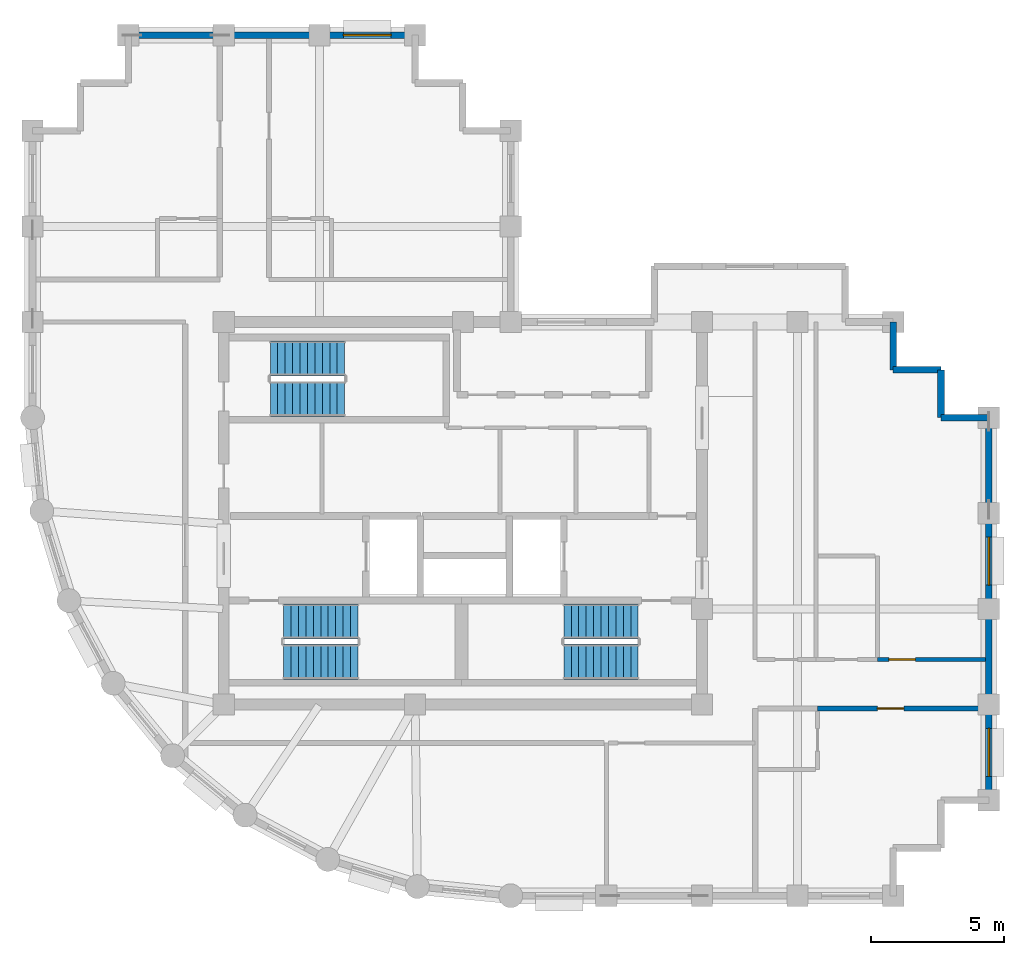
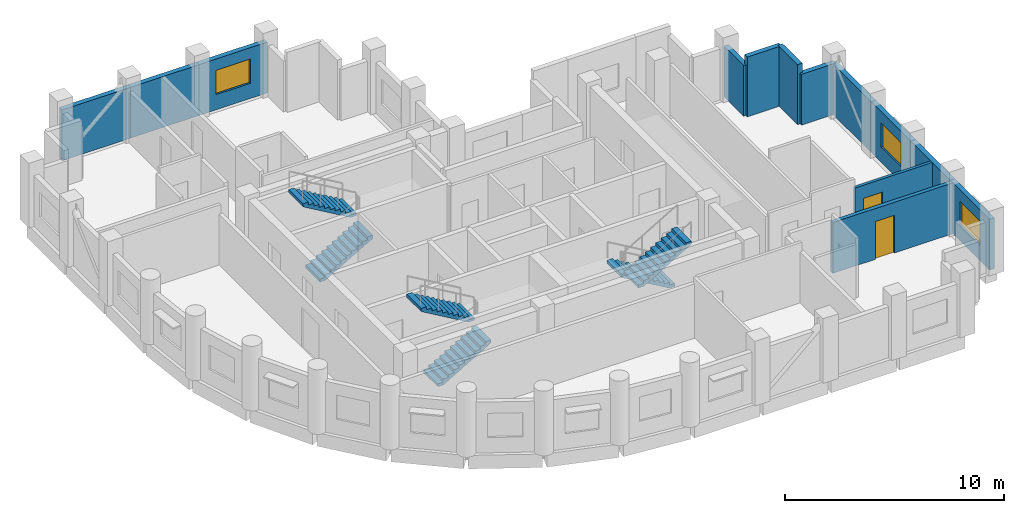
# One storey, part 5 of 7: 13 walls, 6 stair flights, 3 windows, 2 doors, 5 openings, 3 elements without a shape of their own.
"""IFC4 building model written with IfcOpenShell, lengths in metres."""

from ifc_helpers import new_model, si_unit, direction, frame, frame_2d, origin, place, context, subcontext, project, spatial, polyline, rectangle, outline, extrude, material, layer, layer_set, type_object, element, fill, aggregate, save


model = new_model("IFC4")

# Units and contexts
model_context = context("Model", 3, precision=1e-05, world=origin(), true_north=direction((0.0, 1.0)))
body_context = subcontext(model_context, "Body", "Model", "MODEL_VIEW")
ifc_project = project(units=[si_unit("LENGTHUNIT", "METRE"), si_unit("AREAUNIT", "SQUARE_METRE"), si_unit("VOLUMEUNIT", "CUBIC_METRE"), si_unit("PLANEANGLEUNIT", "RADIAN"), si_unit("MASSUNIT", "GRAM", prefix="KILO")], contexts=[model_context])

# Site, building, storey
site_placement = place(None, origin())
site = spatial("IfcSite", under=ifc_project, at=site_placement, CompositionType="ELEMENT")
building_placement = place(site_placement, origin())
building = spatial("IfcBuilding", under=site, at=building_placement, Name="Solnavia Interchange Tower", CompositionType="ELEMENT")
storey_placement = place(building_placement, frame((0.0, 0.0, 288.199951171875)))
storey = spatial("IfcBuildingStorey", under=building, at=storey_placement, Name="L73", CompositionType="ELEMENT", Elevation=288.199951171875)

# Wall, opening, door
ifc_material_1 = material(Name="Gypsum Acoustic Twin-Stud & Mineral Wool", Category="gypsum")
ifc_layer_1 = layer(ifc_material_1, 0.199951171875)
ifc_layer_set_1 = layer_set([ifc_layer_1], Name="Gypsum Acoustic Twin-Stud & Mineral Wool")
wall_type_1 = type_object("IfcWallType", Name="Wall-ApartmentParty-200", PredefinedType="PARTITIONING", material=ifc_layer_set_1)
wall_1_placement = place(storey_placement, frame((36.75, 10.64990234375, 0.0), z_axis=(0.0, 0.0, 1.0), x_axis=(1.0, 0.0, 0.0)))
wall_1 = element("IfcWall", 1, at=wall_1_placement, inside=storey, type_object=wall_type_1, Name="PTW-L73-14 Interior partition wall", PredefinedType="PARTITIONING", context=body_context, shape_type="SweptSolid", body=[
    extrude(rectangle(XDim=6.321044921875, YDim=0.199951171875, at=frame_2d((3.16064453125, 0.0))), origin(), (0.0, 0.0, 1.0), 2.830078125),
])
opening_1_placement = place(wall_1_placement, frame((2.251953125, 0.0, 0.0)))
opening_1 = element("IfcOpeningElement", 2, at=opening_1_placement, cuts=wall_1, Name="Opening DR-06", PredefinedType="OPENING", context=body_context, shape_type="SweptSolid", body=[
    extrude(rectangle(XDim=1.0, YDim=2.10009765625, at=frame_2d((0.5, 1.050048828125))), frame((0.0, 0.10986328125, 0.0), z_axis=(0.0, -1.0, 0.0), x_axis=(1.0, 0.0, 0.0)), (0.0, 0.0, 1.0), 0.219970703125),
])
ifc_material_2 = material(Name="Engineered Timber Acoustic Fire Door", Category="wood")
door_type_1 = type_object("IfcDoorType", Name="Door-FlatEntry-1000x2100", OperationType="SINGLE_SWING_LEFT", PredefinedType="DOOR", material=ifc_material_2)
door_1_placement = place(opening_1_placement, origin())
door_1 = element("IfcDoor", 3, at=door_1_placement, inside=storey, type_object=door_type_1, Name="DR-L73-05 Interior room door", OperationType="SINGLE_SWING_LEFT", OverallHeight=2.10009765625, OverallWidth=1.0, PredefinedType="DOOR", context=body_context, shape_type="SweptSolid", body=[
    extrude(rectangle(XDim=1.0, YDim=2.10009765625, at=frame_2d((0.5, 1.050048828125))), frame((0.0, 0.02490234375, 0.0), z_axis=(0.0, -1.0, 0.0), x_axis=(1.0, 0.0, 0.0)), (0.0, 0.0, 1.0), 0.050048828125),
])
fill(opening_1, door_1)

# Wall, opening, window
ifc_material_3 = material(Name="Concrete C40/50", Category="concrete")
ifc_layer_2 = layer(ifc_material_3, 0.25)
ifc_layer_set_2 = layer_set([ifc_layer_2], Name="Concrete C40/50")
wall_type_2 = type_object("IfcWallType", Name="Wall-ExtSpandrel-250", PredefinedType="STANDARD", material=ifc_layer_set_2)
wall_2_placement = place(storey_placement, frame((43.199951171875, 10.800048828125, 0.0), z_axis=(0.0, 0.0, 1.0), x_axis=(0.0, -1.0, 0.0)))
wall_2 = element("IfcWall", 4, at=wall_2_placement, inside=storey, type_object=wall_type_2, Name="EXW-L73-09 Exterior precast spandrel wall", PredefinedType="STANDARD", context=body_context, shape_type="SweptSolid", body=[
    extrude(rectangle(XDim=3.60009765625, YDim=0.25, at=frame_2d((1.800048828125, 0.0))), origin(), (0.0, 0.0, 1.0), 2.830078125),
])
opening_2_placement = place(wall_2_placement, frame((0.89990234375, 0.0, 0.85009765625)))
opening_2 = element("IfcOpeningElement", 5, at=opening_2_placement, cuts=wall_2, Name="Opening WIN-02", PredefinedType="OPENING", context=body_context, shape_type="SweptSolid", body=[
    extrude(rectangle(XDim=1.800048828125, YDim=1.35009765625, at=frame_2d((0.89990234375, 0.675048828125))), frame((0.0, 0.135009765625, 0.0), z_axis=(0.0, -1.0, 0.0), x_axis=(1.0, 0.0, 0.0)), (0.0, 0.0, 1.0), 0.27001953125),
])
ifc_material_4 = material(Name="Thermal-Break Aluminium & Low-E Glass", Category="aluminium")
window_type = type_object("IfcWindowType", Name="Window-Ribbon-1800x1350", PartitioningType="SINGLE_PANEL", PredefinedType="WINDOW", material=ifc_material_4)
window_1_placement = place(opening_2_placement, origin())
window_1 = element("IfcWindow", 6, at=window_1_placement, inside=storey, type_object=window_type, Name="WIN-L73-09 Facade ribbon window", OverallHeight=1.35009765625, OverallWidth=1.800048828125, PartitioningType="SINGLE_PANEL", PredefinedType="WINDOW", context=body_context, shape_type="SweptSolid", body=[
    extrude(rectangle(XDim=1.800048828125, YDim=1.35009765625, at=frame_2d((0.89990234375, 0.675048828125))), frame((0.0, 0.030029296875, 0.0), z_axis=(0.0, -1.0, 0.0), x_axis=(1.0, 0.0, 0.0)), (0.0, 0.0, 1.0), 0.06005859375),
])
fill(opening_2, window_1)

# Wall
wall_3_placement = place(storey_placement, frame((43.199951171875, 14.39990234375, 0.0), z_axis=(0.0, 0.0, 1.0), x_axis=(0.0, -1.0, 0.0)))
element("IfcWall", 7, at=wall_3_placement, inside=storey, type_object=wall_type_2, Name="EXW-L73-10 Exterior precast spandrel wall", PredefinedType="STANDARD", context=body_context, shape_type="SweptSolid", body=[
    extrude(rectangle(XDim=3.599853515625, YDim=0.25, at=frame_2d((1.7998046875, 0.0))), origin(), (0.0, 0.0, 1.0), 2.830078125),
])

# Wall, opening, window
wall_4_placement = place(storey_placement, frame((43.199951171875, 18.0, 0.0), z_axis=(0.0, 0.0, 1.0), x_axis=(0.0, -1.0, 0.0)))
wall_4 = element("IfcWall", 8, at=wall_4_placement, inside=storey, type_object=wall_type_2, Name="EXW-L73-11 Exterior precast spandrel wall", PredefinedType="STANDARD", context=body_context, shape_type="SweptSolid", body=[
    extrude(rectangle(XDim=3.60009765625, YDim=0.25, at=frame_2d((1.800048828125, 0.0))), origin(), (0.0, 0.0, 1.0), 2.830078125),
])
opening_3_placement = place(wall_4_placement, frame((0.89990234375, 0.0, 0.85009765625)))
opening_3 = element("IfcOpeningElement", 9, at=opening_3_placement, cuts=wall_4, Name="Opening WIN-02", PredefinedType="OPENING", context=body_context, shape_type="SweptSolid", body=[
    extrude(rectangle(XDim=1.800048828125, YDim=1.35009765625, at=frame_2d((0.89990234375, 0.675048828125))), frame((0.0, 0.135009765625, 0.0), z_axis=(0.0, -1.0, 0.0), x_axis=(1.0, 0.0, 0.0)), (0.0, 0.0, 1.0), 0.27001953125),
])
window_2_placement = place(opening_3_placement, origin())
window_2 = element("IfcWindow", 10, at=window_2_placement, inside=storey, type_object=window_type, Name="WIN-L73-11 Facade ribbon window", OverallHeight=1.35009765625, OverallWidth=1.800048828125, PartitioningType="SINGLE_PANEL", PredefinedType="WINDOW", context=body_context, shape_type="SweptSolid", body=[
    extrude(rectangle(XDim=1.800048828125, YDim=1.35009765625, at=frame_2d((0.89990234375, 0.675048828125))), frame((0.0, 0.030029296875, 0.0), z_axis=(0.0, -1.0, 0.0), x_axis=(1.0, 0.0, 0.0)), (0.0, 0.0, 1.0), 0.06005859375),
])
fill(opening_3, window_2)

# Walls
wall_5_placement = place(storey_placement, frame((43.199951171875, 21.60009765625, 0.0), z_axis=(0.0, 0.0, 1.0), x_axis=(0.0, -1.0, 0.0)))
element("IfcWall", 11, at=wall_5_placement, inside=storey, type_object=wall_type_2, Name="EXW-L73-12 Exterior precast spandrel wall", PredefinedType="STANDARD", context=body_context, shape_type="SweptSolid", body=[
    extrude(rectangle(XDim=3.60009765625, YDim=0.25, at=frame_2d((1.800048828125, 0.0))), origin(), (0.0, 0.0, 1.0), 2.830078125),
])
wall_6_placement = place(storey_placement, frame((41.39990234375, 21.60009765625, 0.0), z_axis=(0.0, 0.0, 1.0), x_axis=(1.0, 0.0, 0.0)))
element("IfcWall", 12, at=wall_6_placement, inside=storey, type_object=wall_type_2, Name="EXW-L73-13 Exterior precast spandrel wall", PredefinedType="STANDARD", context=body_context, shape_type="SweptSolid", body=[
    extrude(rectangle(XDim=1.800048828125, YDim=0.25, at=frame_2d((0.89990234375, 0.0))), origin(), (0.0, 0.0, 1.0), 2.830078125),
])
for number, where, z_axis, x_axis, name in (
    (13, (41.39990234375, 23.39990234375, 0.0), (0.0, 0.0, 1.0), (0.0, -1.0, 0.0), "EXW-L73-14 Exterior precast spandrel wall"),
    (14, (39.60009765625, 23.39990234375, 0.0), (0.0, 0.0, 1.0), (1.0, 0.0, 0.0), "EXW-L73-15 Exterior precast spandrel wall"),
):
    element("IfcWall", number, at=place(storey_placement, frame(where, z_axis=z_axis, x_axis=x_axis)), inside=storey, type_object=wall_type_2, Name=name, PredefinedType="STANDARD", context=body_context, shape_type="SweptSolid", body=[
        extrude(rectangle(XDim=1.7998046875, YDim=0.25, at=frame_2d((0.89990234375, 0.0))), origin(), (0.0, 0.0, 1.0), 3.3349609375),
    ])
wall_7_placement = place(storey_placement, frame((39.60009765625, 25.199951171875, 0.0), z_axis=(0.0, 0.0, 1.0), x_axis=(0.0, -1.0, 0.0)))
element("IfcWall", 15, at=wall_7_placement, inside=storey, type_object=wall_type_2, Name="EXW-L73-16 Exterior precast spandrel wall", PredefinedType="STANDARD", context=body_context, shape_type="SweptSolid", body=[
    extrude(rectangle(XDim=1.800048828125, YDim=0.25, at=frame_2d((0.89990234375, 0.0))), origin(), (0.0, 0.0, 1.0), 2.830078125),
])

# Wall, opening, window
wall_8_placement = place(storey_placement, frame((18.0, 36.0, 0.0), z_axis=(0.0, 0.0, 1.0), x_axis=(1.0, 0.0, 0.0)))
wall_8 = element("IfcWall", 16, at=wall_8_placement, inside=storey, type_object=wall_type_2, Name="EXW-L73-31 Exterior precast spandrel wall", PredefinedType="STANDARD", context=body_context, shape_type="SweptSolid", body=[
    extrude(rectangle(XDim=3.60009765625, YDim=0.25, at=frame_2d((1.800048828125, 0.0))), origin(), (0.0, 0.0, 1.0), 2.830078125),
])
opening_4_placement = place(wall_8_placement, frame((0.89990234375, 0.0, 0.85009765625)))
opening_4 = element("IfcOpeningElement", 17, at=opening_4_placement, cuts=wall_8, Name="Opening WIN-02", PredefinedType="OPENING", context=body_context, shape_type="SweptSolid", body=[
    extrude(rectangle(XDim=1.800048828125, YDim=1.35009765625, at=frame_2d((0.89990234375, 0.675048828125))), frame((0.0, 0.135009765625, 0.0), z_axis=(0.0, -1.0, 0.0), x_axis=(1.0, 0.0, 0.0)), (0.0, 0.0, 1.0), 0.27001953125),
])
window_3_placement = place(opening_4_placement, origin())
window_3 = element("IfcWindow", 18, at=window_3_placement, inside=storey, type_object=window_type, Name="WIN-L73-31 Facade ribbon window", OverallHeight=1.35009765625, OverallWidth=1.800048828125, PartitioningType="SINGLE_PANEL", PredefinedType="WINDOW", context=body_context, shape_type="SweptSolid", body=[
    extrude(rectangle(XDim=1.800048828125, YDim=1.35009765625, at=frame_2d((0.89990234375, 0.675048828125))), frame((0.0, 0.030029296875, 0.0), z_axis=(0.0, -1.0, 0.0), x_axis=(1.0, 0.0, 0.0)), (0.0, 0.0, 1.0), 0.06005859375),
])
fill(opening_4, window_3)

# Walls
wall_9_placement = place(storey_placement, frame((14.39990234375, 36.0, 0.0), z_axis=(0.0, 0.0, 1.0), x_axis=(1.0, 0.0, 0.0)))
element("IfcWall", 19, at=wall_9_placement, inside=storey, type_object=wall_type_2, Name="EXW-L73-32 Exterior precast spandrel wall", PredefinedType="STANDARD", context=body_context, shape_type="SweptSolid", body=[
    extrude(rectangle(XDim=3.60009765625, YDim=0.25, at=frame_2d((1.800048828125, 0.0))), origin(), (0.0, 0.0, 1.0), 2.830078125),
])
wall_10_placement = place(storey_placement, frame((10.800048828125, 36.0, 0.0), z_axis=(0.0, 0.0, 1.0), x_axis=(1.0, 0.0, 0.0)))
element("IfcWall", 20, at=wall_10_placement, inside=storey, type_object=wall_type_2, Name="EXW-L73-33 Exterior precast spandrel wall", PredefinedType="STANDARD", context=body_context, shape_type="SweptSolid", body=[
    extrude(rectangle(XDim=3.599853515625, YDim=0.25, at=frame_2d((1.7998046875, 0.0))), origin(), (0.0, 0.0, 1.0), 2.830078125),
])

# Wall, opening, door
ifc_material_5 = material(Name="Gypsum Plasterboard & Steel Stud", Category="steel")
ifc_layer_3 = layer(ifc_material_5, 0.14990234375)
ifc_layer_set_3 = layer_set([ifc_layer_3], Name="Gypsum Plasterboard & Steel Stud")
wall_type_3 = type_object("IfcWallType", Name="Wall-Partition-150", PredefinedType="PARTITIONING", material=ifc_layer_set_3)
wall_11_placement = place(storey_placement, frame((39.0, 12.5, 0.0), z_axis=(0.0, 0.0, 1.0), x_axis=(1.0, 0.0, 0.0)))
wall_11 = element("IfcWall", 21, at=wall_11_placement, inside=storey, type_object=wall_type_3, Name="PTW-L73-17 Interior partition wall", PredefinedType="PARTITIONING", context=body_context, shape_type="SweptSolid", body=[
    extrude(rectangle(XDim=4.071044921875, YDim=0.14990234375, at=frame_2d((2.03564453125, 0.0))), origin(), (0.0, 0.0, 1.0), 2.830078125),
])
opening_5_placement = place(wall_11_placement, frame((0.43798828125, 0.0, 0.0)))
opening_5 = element("IfcOpeningElement", 22, at=opening_5_placement, cuts=wall_11, Name="Opening DR-07", PredefinedType="OPENING", context=body_context, shape_type="SweptSolid", body=[
    extrude(rectangle(XDim=1.0, YDim=2.10009765625, at=frame_2d((0.5, 1.050048828125))), frame((0.0, 0.0849609375, 0.0), z_axis=(0.0, -1.0, 0.0), x_axis=(1.0, 0.0, 0.0)), (0.0, 0.0, 1.0), 0.169921875),
])
ifc_material_6 = material(Name="Timber & Acoustic Glazed Office Door", Category="wood")
door_type_2 = type_object("IfcDoorType", Name="Door-Office-1000x2100", OperationType="SINGLE_SWING_RIGHT", PredefinedType="DOOR", material=ifc_material_6)
door_2_placement = place(opening_5_placement, origin())
door_2 = element("IfcDoor", 23, at=door_2_placement, inside=storey, type_object=door_type_2, Name="DR-L73-07 Interior room door", OperationType="SINGLE_SWING_RIGHT", OverallHeight=2.10009765625, OverallWidth=1.0, PredefinedType="DOOR", context=body_context, shape_type="SweptSolid", body=[
    extrude(rectangle(XDim=1.0, YDim=2.10009765625, at=frame_2d((0.5, 1.050048828125))), frame((0.0, 0.02490234375, 0.0), z_axis=(0.0, -1.0, 0.0), x_axis=(1.0, 0.0, 0.0)), (0.0, 0.0, 1.0), 0.050048828125),
])
fill(opening_5, door_2)

# Stair, stair flights
stair_type = type_object("IfcStairType", Name="Stair-Dogleg-RC", PredefinedType="HALF_TURN_STAIR", material=ifc_material_3)
stair_1_placement = place(storey_placement, origin())
stair_1 = element("IfcStair", 24, at=stair_1_placement, inside=storey, type_object=stair_type, Name="L73 Core exit stair 1", PredefinedType="HALF_TURN_STAIR")
stair_flight_type = type_object("IfcStairFlightType", Name="StairFlight-RC-150", PredefinedType="STRAIGHT", material=ifc_material_3)
stair_flight_1_placement = place(storey_placement, frame((16.64990234375, 12.409912109375, 0.0), z_axis=(0.0, 0.0, 1.0), x_axis=(1.0, 0.0, 0.0)))
stair_flight_1 = element("IfcStairFlight", 25, at=stair_flight_1_placement, type_object=stair_flight_type, Name="ST-1 flight 1", NumberOfRisers=11, NumberOfTreads=10, PredefinedType="STRAIGHT", RiserHeight=0.163636364, TreadLength=0.28, context=body_context, shape_type="SweptSolid", body=[
    extrude(outline(polyline([(0.0, 0.0), (0.0, 0.16357421875), (0.280029296875, 0.16357421875), (0.280029296875, 0.327392578125), (0.56005859375, 0.327392578125), (0.56005859375, 0.490966796875), (0.840087890625, 0.490966796875), (0.840087890625, 0.654541015625), (1.1201171875, 0.654541015625), (1.1201171875, 0.818115234375), (1.39990234375, 0.818115234375), (1.39990234375, 0.98193359375), (1.679931640625, 0.98193359375), (1.679931640625, 1.1455078125), (1.9599609375, 1.1455078125), (1.9599609375, 1.30908203125), (2.239990234375, 1.30908203125), (2.239990234375, 1.47265625), (2.52001953125, 1.47265625), (2.52001953125, 1.636474609375), (2.800048828125, 1.636474609375), (2.800048828125, 1.800048828125), (2.800048828125, 1.462646484375), (0.297119140625, 0.0), (0.0, 0.0)])), frame((0.0, 0.66015625, 0.0), z_axis=(0.0, -1.0, 0.0), x_axis=(1.0, 0.0, 0.0)), (0.0, 0.0, 1.0), 1.320068359375),
])
stair_flight_2_placement = place(storey_placement, frame((19.449951171875, 13.929931640625, 1.800048828125), z_axis=(0.0, 0.0, 1.0), x_axis=(-1.0, 0.0, 0.0)))
stair_flight_2 = element("IfcStairFlight", 26, at=stair_flight_2_placement, type_object=stair_flight_type, Name="ST-1 flight 2", NumberOfRisers=11, NumberOfTreads=10, PredefinedType="STRAIGHT", RiserHeight=0.163636364, TreadLength=0.28, context=body_context, shape_type="SweptSolid", body=[
    extrude(outline(polyline([(0.0, 0.0), (0.0, 0.16357421875), (0.280029296875, 0.16357421875), (0.280029296875, 0.327392578125), (0.56005859375, 0.327392578125), (0.56005859375, 0.490966796875), (0.840087890625, 0.490966796875), (0.840087890625, 0.654541015625), (1.1201171875, 0.654541015625), (1.1201171875, 0.818115234375), (1.39990234375, 0.818115234375), (1.39990234375, 0.98193359375), (1.679931640625, 0.98193359375), (1.679931640625, 1.1455078125), (1.9599609375, 1.1455078125), (1.9599609375, 1.30908203125), (2.239990234375, 1.30908203125), (2.239990234375, 1.47265625), (2.52001953125, 1.47265625), (2.52001953125, 1.636474609375), (2.800048828125, 1.636474609375), (2.800048828125, 1.800048828125), (2.800048828125, 1.462646484375), (0.297119140625, 0.0), (0.0, 0.0)])), frame((0.0, 0.66015625, 0.0), z_axis=(0.0, -1.0, 0.0), x_axis=(1.0, 0.0, 0.0)), (0.0, 0.0, 1.0), 1.320068359375),
])
aggregate(stair_1, [stair_flight_1, stair_flight_2])

stair_2_placement = place(storey_placement, origin())
stair_2 = element("IfcStair", 27, at=stair_2_placement, inside=storey, type_object=stair_type, Name="L73 Core exit stair 2", PredefinedType="HALF_TURN_STAIR")
stair_flight_3_placement = place(storey_placement, frame((30.0, 13.929931640625, 0.0), z_axis=(0.0, 0.0, 1.0), x_axis=(-1.0, 0.0, 0.0)))
stair_flight_3 = element("IfcStairFlight", 28, at=stair_flight_3_placement, type_object=stair_flight_type, Name="ST-2 flight 1", NumberOfRisers=11, NumberOfTreads=10, PredefinedType="STRAIGHT", RiserHeight=0.163636364, TreadLength=0.28, context=body_context, shape_type="SweptSolid", body=[
    extrude(outline(polyline([(0.0, 0.0), (0.0, 0.16357421875), (0.280029296875, 0.16357421875), (0.280029296875, 0.327392578125), (0.56005859375, 0.327392578125), (0.56005859375, 0.490966796875), (0.840087890625, 0.490966796875), (0.840087890625, 0.654541015625), (1.1201171875, 0.654541015625), (1.1201171875, 0.818115234375), (1.39990234375, 0.818115234375), (1.39990234375, 0.98193359375), (1.679931640625, 0.98193359375), (1.679931640625, 1.1455078125), (1.9599609375, 1.1455078125), (1.9599609375, 1.30908203125), (2.239990234375, 1.30908203125), (2.239990234375, 1.47265625), (2.52001953125, 1.47265625), (2.52001953125, 1.636474609375), (2.800048828125, 1.636474609375), (2.800048828125, 1.800048828125), (2.800048828125, 1.462646484375), (0.297119140625, 0.0), (0.0, 0.0)])), frame((0.0, 0.66015625, 0.0), z_axis=(0.0, -1.0, 0.0), x_axis=(1.0, 0.0, 0.0)), (0.0, 0.0, 1.0), 1.320068359375),
])
stair_flight_4_placement = place(storey_placement, frame((27.199951171875, 12.409912109375, 1.800048828125), z_axis=(0.0, 0.0, 1.0), x_axis=(1.0, 0.0, 0.0)))
stair_flight_4 = element("IfcStairFlight", 29, at=stair_flight_4_placement, type_object=stair_flight_type, Name="ST-2 flight 2", NumberOfRisers=11, NumberOfTreads=10, PredefinedType="STRAIGHT", RiserHeight=0.163636364, TreadLength=0.28, context=body_context, shape_type="SweptSolid", body=[
    extrude(outline(polyline([(0.0, 0.0), (0.0, 0.16357421875), (0.280029296875, 0.16357421875), (0.280029296875, 0.327392578125), (0.56005859375, 0.327392578125), (0.56005859375, 0.490966796875), (0.840087890625, 0.490966796875), (0.840087890625, 0.654541015625), (1.1201171875, 0.654541015625), (1.1201171875, 0.818115234375), (1.39990234375, 0.818115234375), (1.39990234375, 0.98193359375), (1.679931640625, 0.98193359375), (1.679931640625, 1.1455078125), (1.9599609375, 1.1455078125), (1.9599609375, 1.30908203125), (2.239990234375, 1.30908203125), (2.239990234375, 1.47265625), (2.52001953125, 1.47265625), (2.52001953125, 1.636474609375), (2.800048828125, 1.636474609375), (2.800048828125, 1.800048828125), (2.800048828125, 1.462646484375), (0.297119140625, 0.0), (0.0, 0.0)])), frame((0.0, 0.66015625, 0.0), z_axis=(0.0, -1.0, 0.0), x_axis=(1.0, 0.0, 0.0)), (0.0, 0.0, 1.0), 1.320068359375),
])
aggregate(stair_2, [stair_flight_3, stair_flight_4])

stair_3_placement = place(storey_placement, origin())
stair_3 = element("IfcStair", 30, at=stair_3_placement, inside=storey, type_object=stair_type, Name="L73 Core exit stair 3", PredefinedType="HALF_TURN_STAIR")
stair_flight_5_placement = place(storey_placement, frame((16.14990234375, 22.31005859375, 0.0), z_axis=(0.0, 0.0, 1.0), x_axis=(1.0, 0.0, 0.0)))
stair_flight_5 = element("IfcStairFlight", 31, at=stair_flight_5_placement, type_object=stair_flight_type, Name="ST-3 flight 1", NumberOfRisers=11, NumberOfTreads=10, PredefinedType="STRAIGHT", RiserHeight=0.163636364, TreadLength=0.28, context=body_context, shape_type="SweptSolid", body=[
    extrude(outline(polyline([(0.0, 0.0), (0.0, 0.16357421875), (0.280029296875, 0.16357421875), (0.280029296875, 0.327392578125), (0.56005859375, 0.327392578125), (0.56005859375, 0.490966796875), (0.840087890625, 0.490966796875), (0.840087890625, 0.654541015625), (1.1201171875, 0.654541015625), (1.1201171875, 0.818115234375), (1.39990234375, 0.818115234375), (1.39990234375, 0.98193359375), (1.679931640625, 0.98193359375), (1.679931640625, 1.1455078125), (1.9599609375, 1.1455078125), (1.9599609375, 1.30908203125), (2.239990234375, 1.30908203125), (2.239990234375, 1.47265625), (2.52001953125, 1.47265625), (2.52001953125, 1.636474609375), (2.800048828125, 1.636474609375), (2.800048828125, 1.800048828125), (2.800048828125, 1.462646484375), (0.297119140625, 0.0), (0.0, 0.0)])), frame((0.0, 0.66015625, 0.0), z_axis=(0.0, -1.0, 0.0), x_axis=(1.0, 0.0, 0.0)), (0.0, 0.0, 1.0), 1.320068359375),
])
stair_flight_6_placement = place(storey_placement, frame((18.949951171875, 23.830078125, 1.800048828125), z_axis=(0.0, 0.0, 1.0), x_axis=(-1.0, 0.0, 0.0)))
stair_flight_6 = element("IfcStairFlight", 32, at=stair_flight_6_placement, type_object=stair_flight_type, Name="ST-3 flight 2", NumberOfRisers=11, NumberOfTreads=10, PredefinedType="STRAIGHT", RiserHeight=0.163636364, TreadLength=0.28, context=body_context, shape_type="SweptSolid", body=[
    extrude(outline(polyline([(0.0, 0.0), (0.0, 0.16357421875), (0.280029296875, 0.16357421875), (0.280029296875, 0.327392578125), (0.56005859375, 0.327392578125), (0.56005859375, 0.490966796875), (0.840087890625, 0.490966796875), (0.840087890625, 0.654541015625), (1.1201171875, 0.654541015625), (1.1201171875, 0.818115234375), (1.39990234375, 0.818115234375), (1.39990234375, 0.98193359375), (1.679931640625, 0.98193359375), (1.679931640625, 1.1455078125), (1.9599609375, 1.1455078125), (1.9599609375, 1.30908203125), (2.239990234375, 1.30908203125), (2.239990234375, 1.47265625), (2.52001953125, 1.47265625), (2.52001953125, 1.636474609375), (2.800048828125, 1.636474609375), (2.800048828125, 1.800048828125), (2.800048828125, 1.462646484375), (0.297119140625, 0.0), (0.0, 0.0)])), frame((0.0, 0.66015625, 0.0), z_axis=(0.0, -1.0, 0.0), x_axis=(1.0, 0.0, 0.0)), (0.0, 0.0, 1.0), 1.320068359375),
])
aggregate(stair_3, [stair_flight_5, stair_flight_6])

save(model, "model.ifc")
